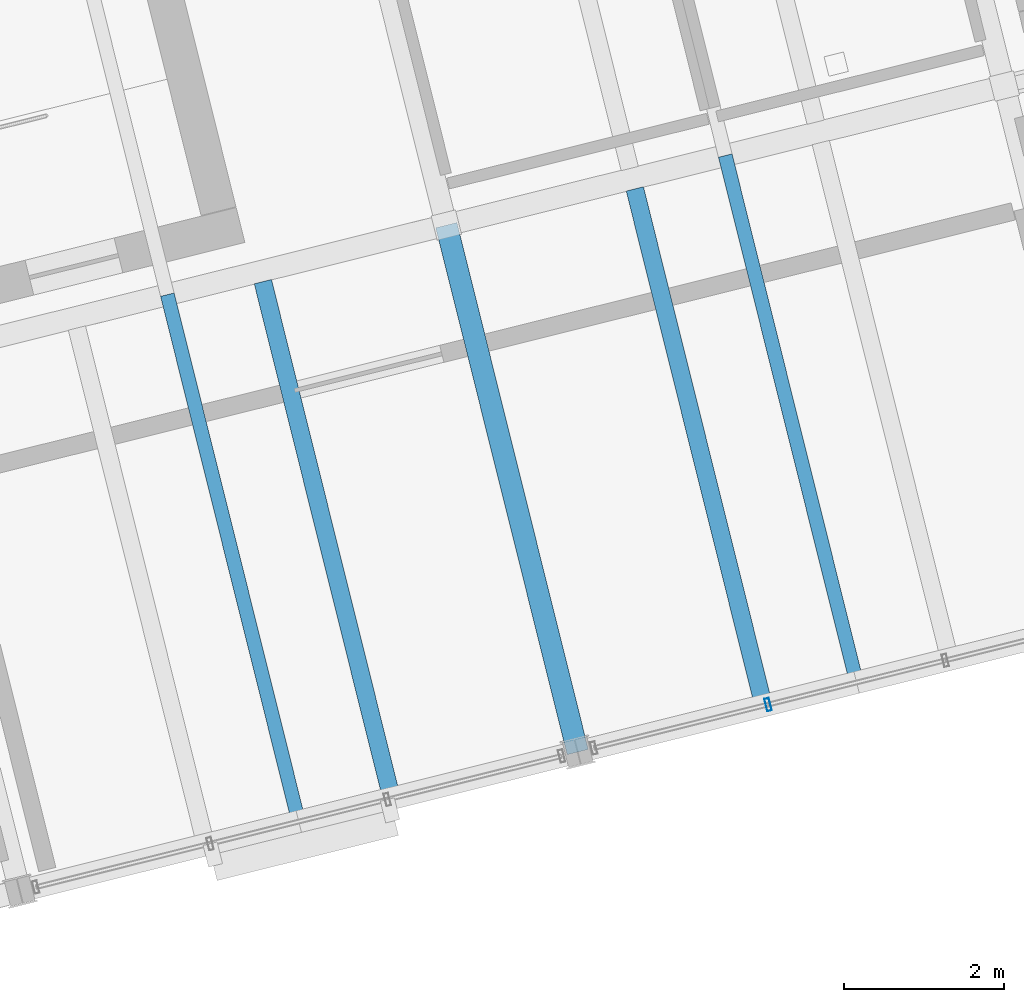
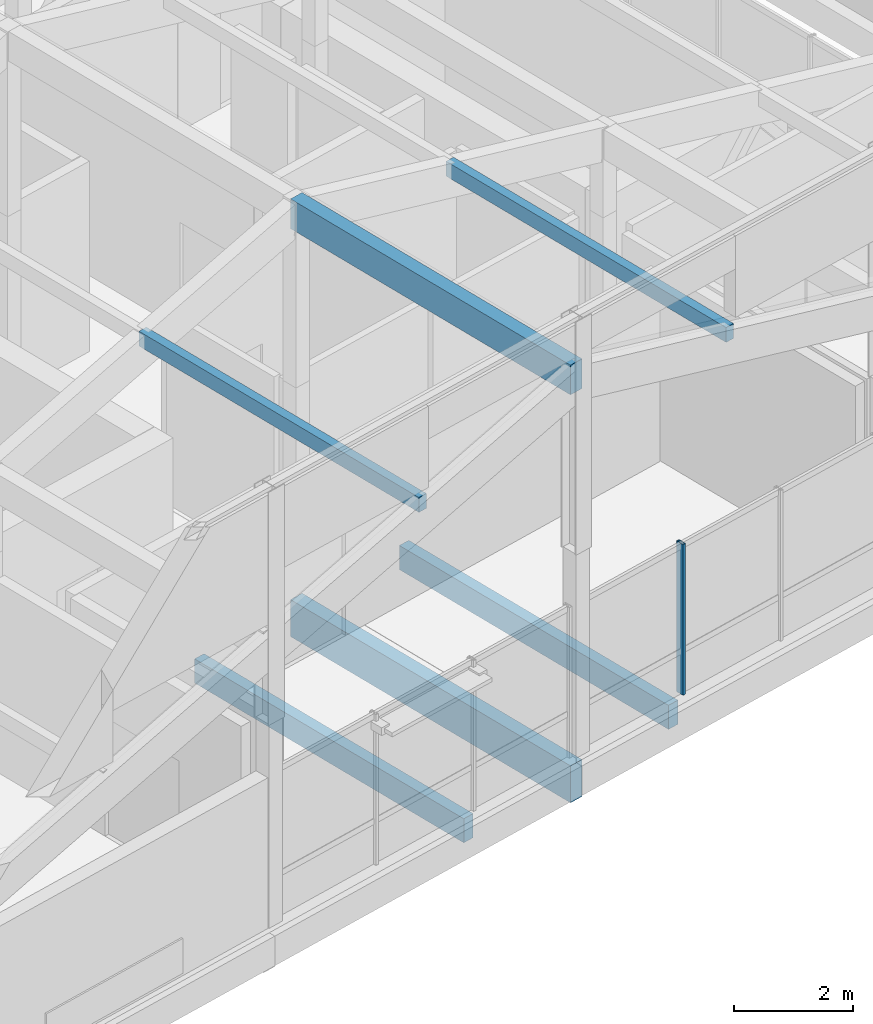
# One storey, part 9 of 31: 4 beams, 3 members, 1 element without a shape of its own.
"""IFC4 building model written with IfcOpenShell, lengths in metres."""

from ifc_helpers import new_model, si_unit, direction, frame, origin, origin_2d, place, context, subcontext, project, spatial, rectangle, hollow_rectangle, extrude, material, layer, layer_set, material_profile, profile_set, type_object, element, aggregate, save


model = new_model("IFC4")

# Units and contexts
model_context = context("Model", 3, precision=1e-05, world=origin(), true_north=direction((0.0, 1.0)))
body_context = subcontext(model_context, "Body", "Model", "MODEL_VIEW")
ifc_project = project(units=[si_unit("LENGTHUNIT", "METRE"), si_unit("AREAUNIT", "SQUARE_METRE"), si_unit("VOLUMEUNIT", "CUBIC_METRE"), si_unit("PLANEANGLEUNIT", "RADIAN"), si_unit("MASSUNIT", "GRAM", prefix="KILO")], contexts=[model_context])

# Site, building, storey
site_placement = place(None, origin())
site = spatial("IfcSite", under=ifc_project, at=site_placement, CompositionType="ELEMENT")
building_placement = place(site_placement, origin())
building = spatial("IfcBuilding", under=site, at=building_placement, Name="Meriwether Solvik Hall", CompositionType="ELEMENT")
storey_placement = place(building_placement, frame((0.0, 0.0, 61.199951171875)))
storey = spatial("IfcBuildingStorey", under=building, at=storey_placement, Name="L15", CompositionType="ELEMENT", Elevation=61.199951171875)

# Beams
ifc_material_1 = material(Name="Glulam Douglas-Fir 24F-V8 GL28h", Category="wood")
ifc_material_profile_1 = material_profile(ifc_material_1, rectangle(XDim=0.27294921875, YDim=0.610107421875, at=origin_2d()), Name="GLB-273X610")
ifc_profile_set_1 = profile_set([ifc_material_profile_1], Name="Glulam Douglas-Fir 24F-V8 GL28h")
beam_type_1 = type_object("IfcBeamType", Name="BM-GL-273X610", PredefinedType="SPANDREL", material=ifc_profile_set_1)
beam_1_placement = place(storey_placement, frame((82.96044921875, 44.780517578125, 7.698974609375), z_axis=(-0.241918877831, 0.970296478685, 0.0), x_axis=(-0.970296478685, -0.241918877831, 0.0)))
element("IfcBeam", 1, at=beam_1_placement, inside=storey, type_object=beam_type_1, Name="Roof Tie Beam T3:TA-TB", PredefinedType="SPANDREL", context=body_context, shape_type="SweptSolid", body=[
    extrude(rectangle(XDim=0.27294921875, YDim=0.610107421875, at=origin_2d()), origin(), (0.0, 0.0, 1.0), 6.7998046875),
])
ifc_material_2 = material(Name="Glulam Douglas-Fir 24F-V8 GL28h", Category="wood")
ifc_material_profile_2 = material_profile(ifc_material_2, rectangle(XDim=0.27294921875, YDim=0.760009765625, at=origin_2d()), Name="GLB-273X760")
ifc_profile_set_2 = profile_set([ifc_material_profile_2], Name="Glulam Douglas-Fir 24F-V8 GL28h")
beam_type_2 = type_object("IfcBeamType", Name="BM-GL-273X760", PredefinedType="BEAM", material=ifc_profile_set_2)
beam_2_placement = place(storey_placement, frame((82.96044921875, 44.780517578125, -0.625), z_axis=(-0.241918877831, 0.970296478685, 0.0), x_axis=(-0.970296478685, -0.241918877831, 0.0)))
element("IfcBeam", 2, at=beam_2_placement, inside=storey, type_object=beam_type_2, Name="Tower Girder T3:TA-TB (L15)", PredefinedType="BEAM", context=body_context, shape_type="SweptSolid", body=[
    extrude(rectangle(XDim=0.27294921875, YDim=0.760009765625, at=origin_2d()), origin(), (0.0, 0.0, 1.0), 6.7998046875),
])

# Curtain wall, member
ifc_material_3 = material(Name="Thermally Broken Anodised Aluminium 6063-T6 and Low-E Glass", Category="aluminium")
ifc_layer = layer(ifc_material_3, 0.179931640625)
ifc_layer_set = layer_set([ifc_layer], Name="Thermally Broken Anodised Aluminium 6063-T6 and Low-E Glass")
curtain_wall_type = type_object("IfcCurtainWallType", Name="CW-UNIT-A", PredefinedType="USERDEFINED", material=ifc_layer_set)
curtain_wall_placement = place(storey_placement, origin())
curtain_wall = element("IfcCurtainWall", 3, at=curtain_wall_placement, inside=storey, type_object=curtain_wall_type, Name="Curtain Wall E0_B2 (L15)", ObjectType="UNITISED CURTAIN WALL", PredefinedType="USERDEFINED")
ifc_material_4 = material(Name="Anodised Aluminium 6063-T6", Category="aluminium")
ifc_material_profile_3 = material_profile(ifc_material_4, hollow_rectangle(XDim=0.06005859375, YDim=0.159912109375, WallThickness=0.00390625, at=origin_2d()), Name="CWM-60X160")
ifc_profile_set_3 = profile_set([ifc_material_profile_3], Name="Anodised Aluminium 6063-T6")
member_type_1 = type_object("IfcMemberType", Name="CW-MUL-60X160", PredefinedType="MULLION", material=ifc_profile_set_3)
member_1_placement = place(storey_placement, frame((85.343994140625, 45.374755859375, 0.0), z_axis=(0.0, 0.0, 1.0), x_axis=(-0.970295730764, -0.241921877598, 0.0)))
member_1 = element("IfcMember", 4, at=member_1_placement, type_object=member_type_1, Name="Curtain Wall Mullion 3", PredefinedType="MULLION", context=body_context, shape_type="SweptSolid", body=[
    extrude(hollow_rectangle(XDim=0.06005859375, YDim=0.159912109375, WallThickness=0.00390625, at=origin_2d()), origin(), (0.0, 0.0, 1.0), 3.10205078125),
])
aggregate(curtain_wall, [member_1])

# Beams
ifc_material_5 = material(Name="Glulam Douglas-Fir 24F-V8 GL28h", Category="wood")
ifc_material_profile_4 = material_profile(ifc_material_5, rectangle(XDim=0.221923828125, YDim=0.4951171875, at=origin_2d()), Name="GLJ-222X495")
ifc_profile_set_4 = profile_set([ifc_material_profile_4], Name="Glulam Douglas-Fir 24F-V8 GL28h")
beam_type_3 = type_object("IfcBeamType", Name="JST-GL-222X495", PredefinedType="JOIST", material=ifc_profile_set_4)
for number, where, z_axis, x_axis, name in (
    (5, (80.599853515625, 44.327392578125, -0.492431640625), (-0.241938016776, 0.970291706673, 0.0), (-0.970291706673, -0.241938016776, 0.0), "Glulam Floor Joist T2/TA-J2 (L15)"),
    (6, (85.25732421875, 45.48876953125, -0.492431640625), (-0.241938016776, 0.970291706673, 0.0), (-0.970291706673, -0.241938016776, 0.0), "Glulam Floor Joist T3/TA-J1 (L15)"),
):
    element("IfcBeam", number, at=place(storey_placement, frame(where, z_axis=z_axis, x_axis=x_axis)), inside=storey, type_object=beam_type_3, Name=name, PredefinedType="JOIST", context=body_context, shape_type="SweptSolid", body=[
        extrude(rectangle(XDim=0.221923828125, YDim=0.4951171875, at=origin_2d()), origin(), (0.0, 0.0, 1.0), 6.536865234375),
    ])

# Members
ifc_material_6 = material(Name="Glulam Douglas-Fir 24F-V8 GL28h", Category="wood")
ifc_material_profile_5 = material_profile(ifc_material_6, rectangle(XDim=0.175048828125, YDim=0.304931640625, at=origin_2d()), Name="GLM-175X305")
ifc_profile_set_5 = profile_set([ifc_material_profile_5], Name="Glulam Douglas-Fir 24F-V8 GL28h")
member_type_2 = type_object("IfcMemberType", Name="MEM-PRL-GL175", PredefinedType="PURLIN", material=ifc_profile_set_5)
member_2_placement = place(storey_placement, frame((79.46728515625, 43.909423828125, 6.854248046875), z_axis=(-0.24191045034, 0.970298579828, 0.0), x_axis=(-0.970298579828, -0.24191045034, 0.0)))
element("IfcMember", 7, at=member_2_placement, inside=storey, type_object=member_type_2, Name="Tower Roof Glulam Purlin 2.1", PredefinedType="PURLIN", context=body_context, shape_type="SweptSolid", body=[
    extrude(rectangle(XDim=0.175048828125, YDim=0.304931640625, at=origin_2d()), origin(), (0.0, 0.0, 1.0), 6.800048828125),
])
member_3_placement = place(storey_placement, frame((86.453369140625, 45.6513671875, 6.8515625), z_axis=(-0.241918877831, 0.970296478685, 0.0), x_axis=(-0.970296478685, -0.241918877831, 0.0)))
element("IfcMember", 8, at=member_3_placement, inside=storey, type_object=member_type_2, Name="Tower Roof Glulam Purlin 3.1", PredefinedType="PURLIN", context=body_context, shape_type="SweptSolid", body=[
    extrude(rectangle(XDim=0.175048828125, YDim=0.304931640625, at=origin_2d()), origin(), (0.0, 0.0, 1.0), 6.7998046875),
])

save(model, "model.ifc")
